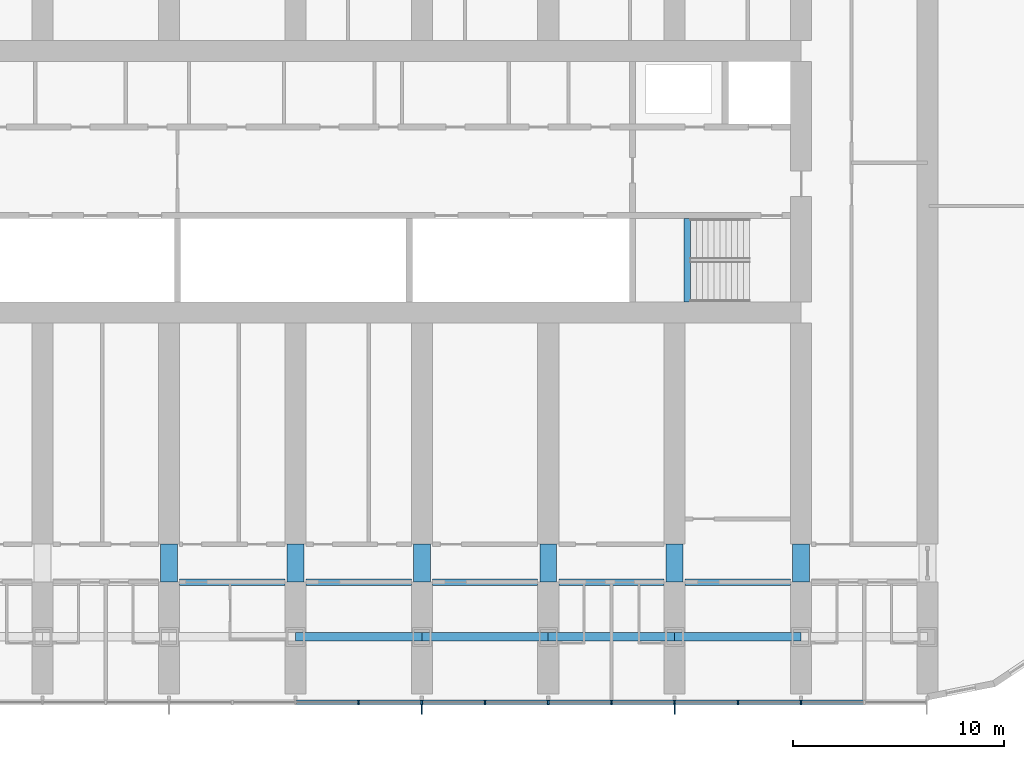
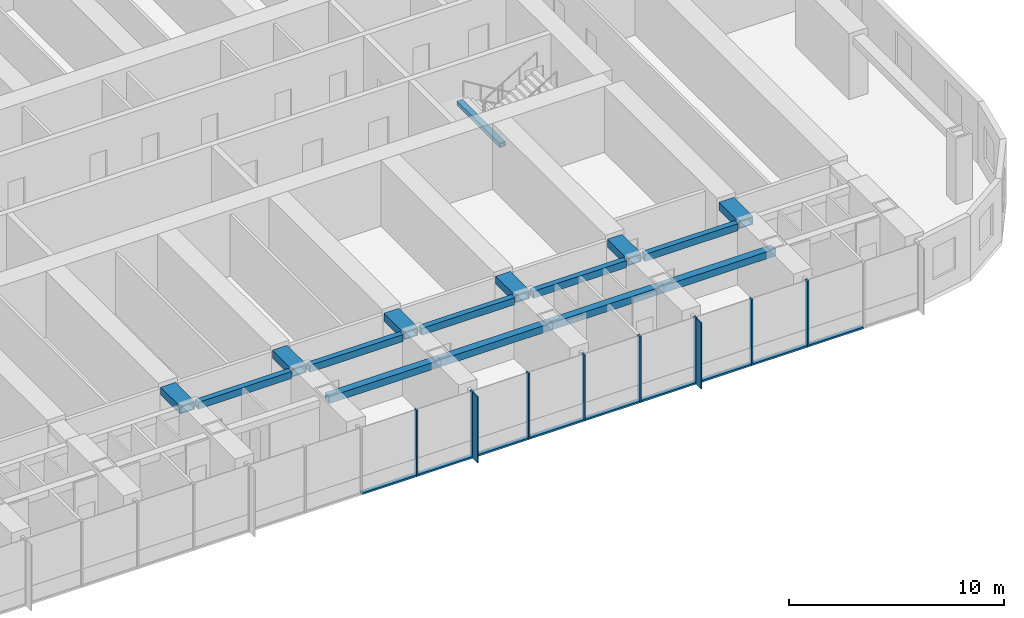
# One storey, part 3 of 23: 19 members, 16 beams, 1 element without a shape of its own.
"""IFC4 building model written with IfcOpenShell, lengths in metres."""

from ifc_helpers import new_model, si_unit, direction, frame, origin, origin_2d, place, context, subcontext, project, spatial, rectangle, hollow_rectangle, extrude, material, material_profile, profile_set, type_object, element, aggregate, save


model = new_model("IFC4")

# Units and contexts
model_context = context("Model", 3, precision=1e-05, world=origin(), true_north=direction((0.0, 1.0)))
body_context = subcontext(model_context, "Body", "Model", "MODEL_VIEW")
ifc_project = project(units=[si_unit("LENGTHUNIT", "METRE"), si_unit("AREAUNIT", "SQUARE_METRE"), si_unit("VOLUMEUNIT", "CUBIC_METRE"), si_unit("PLANEANGLEUNIT", "RADIAN"), si_unit("MASSUNIT", "GRAM", prefix="KILO")], contexts=[model_context])

# Site, building, storey
site_placement = place(None, origin())
site = spatial("IfcSite", under=ifc_project, at=site_placement, CompositionType="ELEMENT")
building_placement = place(site_placement, origin())
building = spatial("IfcBuilding", under=site, at=building_placement, Name="Orbita Commons", CompositionType="ELEMENT")
storey_placement = place(building_placement, frame((0.0, 0.0, 42.699951171875)))
storey = spatial("IfcBuildingStorey", under=building, at=storey_placement, Name="L10", CompositionType="ELEMENT", Elevation=42.699951171875)

# Curtain wall, members
ifc_material_1 = material(Name="Anodised aluminium frame, pale silver", Category="aluminium")
curtain_wall_type = type_object("IfcCurtainWallType", Name="Unitised curtain wall CW-T, vision and spandrel", PredefinedType="NOTDEFINED", material=ifc_material_1)
curtain_wall_placement = place(storey_placement, origin())
curtain_wall = element("IfcCurtainWall", 1, at=curtain_wall_placement, inside=storey, type_object=curtain_wall_type, Name="Curtain wall south L10", PredefinedType="NOTDEFINED")
ifc_material_2 = material(Name="Anodised aluminium, pale silver", Category="aluminium")
ifc_material_profile_1 = material_profile(ifc_material_2, rectangle(XDim=0.080078125, YDim=0.219970703125, at=origin_2d()), Name="AL 80x220")
ifc_profile_set_1 = profile_set([ifc_material_profile_1], Name="Anodised aluminium, pale silver")
member_type_1 = type_object("IfcMemberType", Name="Curtain wall mullion 80x220", PredefinedType="MULLION", material=ifc_profile_set_1)
member_1_placement = place(storey_placement, frame((45.0, 7.2900390625, -0.25), z_axis=(0.0, 0.0, 1.0), x_axis=(1.0, 0.0, 0.0)))
member_1 = element("IfcMember", 2, at=member_1_placement, type_object=member_type_1, Name="Mullion 12 CW-L10-S", PredefinedType="MULLION", context=body_context, shape_type="SweptSolid", body=[
    extrude(rectangle(XDim=0.080078125, YDim=0.219970703125, at=origin_2d()), origin(), (0.0, 0.0, 1.0), 3.75),
])
member_2_placement = place(storey_placement, frame((48.0, 7.2900390625, -0.25), z_axis=(0.0, 0.0, 1.0), x_axis=(1.0, 0.0, 0.0)))
member_2 = element("IfcMember", 3, at=member_2_placement, type_object=member_type_1, Name="Mullion 13 CW-L10-S", PredefinedType="MULLION", context=body_context, shape_type="SweptSolid", body=[
    extrude(rectangle(XDim=0.080078125, YDim=0.219970703125, at=origin_2d()), origin(), (0.0, 0.0, 1.0), 3.75),
])
member_3_placement = place(storey_placement, frame((51.0, 7.2900390625, -0.25), z_axis=(0.0, 0.0, 1.0), x_axis=(1.0, 0.0, 0.0)))
member_3 = element("IfcMember", 4, at=member_3_placement, type_object=member_type_1, Name="Mullion 14 CW-L10-S", PredefinedType="MULLION", context=body_context, shape_type="SweptSolid", body=[
    extrude(rectangle(XDim=0.080078125, YDim=0.219970703125, at=origin_2d()), origin(), (0.0, 0.0, 1.0), 3.75),
])
member_4_placement = place(storey_placement, frame((54.0, 7.2900390625, -0.25), z_axis=(0.0, 0.0, 1.0), x_axis=(1.0, 0.0, 0.0)))
member_4 = element("IfcMember", 5, at=member_4_placement, type_object=member_type_1, Name="Mullion 15 CW-L10-S", PredefinedType="MULLION", context=body_context, shape_type="SweptSolid", body=[
    extrude(rectangle(XDim=0.080078125, YDim=0.219970703125, at=origin_2d()), origin(), (0.0, 0.0, 1.0), 3.75),
])
member_5_placement = place(storey_placement, frame((57.0, 7.2900390625, -0.25), z_axis=(0.0, 0.0, 1.0), x_axis=(1.0, 0.0, 0.0)))
member_5 = element("IfcMember", 6, at=member_5_placement, type_object=member_type_1, Name="Mullion 16 CW-L10-S", PredefinedType="MULLION", context=body_context, shape_type="SweptSolid", body=[
    extrude(rectangle(XDim=0.080078125, YDim=0.219970703125, at=origin_2d()), origin(), (0.0, 0.0, 1.0), 3.75),
])
member_6_placement = place(storey_placement, frame((60.0, 7.2900390625, -0.25), z_axis=(0.0, 0.0, 1.0), x_axis=(1.0, 0.0, 0.0)))
member_6 = element("IfcMember", 7, at=member_6_placement, type_object=member_type_1, Name="Mullion 17 CW-L10-S", PredefinedType="MULLION", context=body_context, shape_type="SweptSolid", body=[
    extrude(rectangle(XDim=0.080078125, YDim=0.219970703125, at=origin_2d()), origin(), (0.0, 0.0, 1.0), 3.75),
])
member_7_placement = place(storey_placement, frame((63.0, 7.2900390625, -0.25), z_axis=(0.0, 0.0, 1.0), x_axis=(1.0, 0.0, 0.0)))
member_7 = element("IfcMember", 8, at=member_7_placement, type_object=member_type_1, Name="Mullion 18 CW-L10-S", PredefinedType="MULLION", context=body_context, shape_type="SweptSolid", body=[
    extrude(rectangle(XDim=0.080078125, YDim=0.219970703125, at=origin_2d()), origin(), (0.0, 0.0, 1.0), 3.75),
])
member_8_placement = place(storey_placement, frame((66.0, 7.2900390625, -0.25), z_axis=(0.0, 0.0, 1.0), x_axis=(1.0, 0.0, 0.0)))
member_8 = element("IfcMember", 9, at=member_8_placement, type_object=member_type_1, Name="Mullion 19 CW-L10-S", PredefinedType="MULLION", context=body_context, shape_type="SweptSolid", body=[
    extrude(rectangle(XDim=0.080078125, YDim=0.219970703125, at=origin_2d()), origin(), (0.0, 0.0, 1.0), 3.75),
])
ifc_material_3 = material(Name="Anodised aluminium, pale silver", Category="aluminium")
ifc_material_profile_2 = material_profile(ifc_material_3, rectangle(XDim=0.219970703125, YDim=0.10009765625, at=origin_2d()), Name="AL 220x100")
ifc_profile_set_2 = profile_set([ifc_material_profile_2], Name="Anodised aluminium, pale silver")
member_type_2 = type_object("IfcMemberType", Name="Curtain wall stack transom 220x100", PredefinedType="USERDEFINED", material=ifc_profile_set_2)
member_9_placement = place(storey_placement, frame((42.0400390625, 7.2900390625, -0.199951171875), z_axis=(1.0, 0.0, 0.0), x_axis=(0.0, 1.0, 0.0)))
member_9 = element("IfcMember", 10, at=member_9_placement, type_object=member_type_2, Name="Transom 11.1 CW-L10-S", ObjectType="TRANSOM", PredefinedType="USERDEFINED", context=body_context, shape_type="SweptSolid", body=[
    extrude(rectangle(XDim=0.219970703125, YDim=0.10009765625, at=origin_2d()), origin(), (0.0, 0.0, 1.0), 2.919921875),
])
member_10_placement = place(storey_placement, frame((45.0400390625, 7.2900390625, -0.199951171875), z_axis=(1.0, 0.0, 0.0), x_axis=(0.0, 1.0, 0.0)))
member_10 = element("IfcMember", 11, at=member_10_placement, type_object=member_type_2, Name="Transom 12.1 CW-L10-S", ObjectType="TRANSOM", PredefinedType="USERDEFINED", context=body_context, shape_type="SweptSolid", body=[
    extrude(rectangle(XDim=0.219970703125, YDim=0.10009765625, at=origin_2d()), origin(), (0.0, 0.0, 1.0), 2.919921875),
])
member_11_placement = place(storey_placement, frame((48.0400390625, 7.2900390625, -0.199951171875), z_axis=(1.0, 0.0, 0.0), x_axis=(0.0, 1.0, 0.0)))
member_11 = element("IfcMember", 12, at=member_11_placement, type_object=member_type_2, Name="Transom 13.1 CW-L10-S", ObjectType="TRANSOM", PredefinedType="USERDEFINED", context=body_context, shape_type="SweptSolid", body=[
    extrude(rectangle(XDim=0.219970703125, YDim=0.10009765625, at=origin_2d()), origin(), (0.0, 0.0, 1.0), 2.919921875),
])
member_12_placement = place(storey_placement, frame((51.0400390625, 7.2900390625, -0.199951171875), z_axis=(1.0, 0.0, 0.0), x_axis=(0.0, 1.0, 0.0)))
member_12 = element("IfcMember", 13, at=member_12_placement, type_object=member_type_2, Name="Transom 14.1 CW-L10-S", ObjectType="TRANSOM", PredefinedType="USERDEFINED", context=body_context, shape_type="SweptSolid", body=[
    extrude(rectangle(XDim=0.219970703125, YDim=0.10009765625, at=origin_2d()), origin(), (0.0, 0.0, 1.0), 2.919921875),
])
member_13_placement = place(storey_placement, frame((54.0400390625, 7.2900390625, -0.199951171875), z_axis=(1.0, 0.0, 0.0), x_axis=(0.0, 1.0, 0.0)))
member_13 = element("IfcMember", 14, at=member_13_placement, type_object=member_type_2, Name="Transom 15.1 CW-L10-S", ObjectType="TRANSOM", PredefinedType="USERDEFINED", context=body_context, shape_type="SweptSolid", body=[
    extrude(rectangle(XDim=0.219970703125, YDim=0.10009765625, at=origin_2d()), origin(), (0.0, 0.0, 1.0), 2.919921875),
])
member_14_placement = place(storey_placement, frame((57.0400390625, 7.2900390625, -0.199951171875), z_axis=(1.0, 0.0, 0.0), x_axis=(0.0, 1.0, 0.0)))
member_14 = element("IfcMember", 15, at=member_14_placement, type_object=member_type_2, Name="Transom 16.1 CW-L10-S", ObjectType="TRANSOM", PredefinedType="USERDEFINED", context=body_context, shape_type="SweptSolid", body=[
    extrude(rectangle(XDim=0.219970703125, YDim=0.10009765625, at=origin_2d()), origin(), (0.0, 0.0, 1.0), 2.919921875),
])
member_15_placement = place(storey_placement, frame((60.0400390625, 7.2900390625, -0.199951171875), z_axis=(1.0, 0.0, 0.0), x_axis=(0.0, 1.0, 0.0)))
member_15 = element("IfcMember", 16, at=member_15_placement, type_object=member_type_2, Name="Transom 17.1 CW-L10-S", ObjectType="TRANSOM", PredefinedType="USERDEFINED", context=body_context, shape_type="SweptSolid", body=[
    extrude(rectangle(XDim=0.219970703125, YDim=0.10009765625, at=origin_2d()), origin(), (0.0, 0.0, 1.0), 2.919921875),
])
member_16_placement = place(storey_placement, frame((63.0400390625, 7.2900390625, -0.199951171875), z_axis=(1.0, 0.0, 0.0), x_axis=(0.0, 1.0, 0.0)))
member_16 = element("IfcMember", 17, at=member_16_placement, type_object=member_type_2, Name="Transom 18.1 CW-L10-S", ObjectType="TRANSOM", PredefinedType="USERDEFINED", context=body_context, shape_type="SweptSolid", body=[
    extrude(rectangle(XDim=0.219970703125, YDim=0.10009765625, at=origin_2d()), origin(), (0.0, 0.0, 1.0), 2.919921875),
])
member_17_placement = place(storey_placement, frame((66.0400390625, 7.2900390625, -0.199951171875), z_axis=(1.0, 0.0, 0.0), x_axis=(0.0, 1.0, 0.0)))
member_17 = element("IfcMember", 18, at=member_17_placement, type_object=member_type_2, Name="Transom 19.1 CW-L10-S", ObjectType="TRANSOM", PredefinedType="USERDEFINED", context=body_context, shape_type="SweptSolid", body=[
    extrude(rectangle(XDim=0.219970703125, YDim=0.10009765625, at=origin_2d()), origin(), (0.0, 0.0, 1.0), 2.919921875),
])

# Beams
ifc_material_4 = material(Name="Steel ASTM A572 Gr 50 welded plate", Category="steel")
ifc_material_profile_3 = material_profile(ifc_material_4, hollow_rectangle(XDim=0.300048828125, YDim=0.25, WallThickness=0.02490234375, at=origin_2d()), Name="BOX 250x300x25")
ifc_profile_set_3 = profile_set([ifc_material_profile_3], Name="Steel ASTM A572 Gr 50 welded plate")
beam_type_1 = type_object("IfcBeamType", Name="Stair landing beam steel BOX 250x300x25", PredefinedType="BEAM", material=ifc_profile_set_3)
beam_placement = place(storey_placement, frame((60.60009765625, 26.284912109375, 1.550048828125), z_axis=(0.0, 1.0, 0.0), x_axis=(-1.0, 0.0, 0.0)))
element("IfcBeam", 19, at=beam_placement, inside=storey, type_object=beam_type_1, Name="Stair S2 landing beam L10 1", PredefinedType="BEAM", context=body_context, shape_type="SweptSolid", body=[
    extrude(hollow_rectangle(XDim=0.300048828125, YDim=0.25, WallThickness=0.02490234375, at=origin_2d()), origin(), (0.0, 0.0, 1.0), 3.97998046875),
])
ifc_material_5 = material(Name="Steel ASTM A572 Gr 50 welded plate", Category="steel")
ifc_material_profile_4 = material_profile(ifc_material_5, hollow_rectangle(XDim=0.300048828125, YDim=0.39990234375, WallThickness=0.0400390625, at=origin_2d()), Name="BOX 400x300x40")
ifc_profile_set_4 = profile_set([ifc_material_profile_4], Name="Steel ASTM A572 Gr 50 welded plate")
beam_type_2 = type_object("IfcBeamType", Name="Steel corridor link BOX 400x300x40", PredefinedType="BEAM", material=ifc_profile_set_4)
for number, where, z_axis, x_axis, name in (
    (20, (36.5, 13.0, 3.300048828125), (1.0, 0.0, 0.0), (0.0, 1.0, 0.0), "Corridor beam SA 7-8 L10"),
    (21, (42.5, 13.0, 3.300048828125), (1.0, 0.0, 0.0), (0.0, 1.0, 0.0), "Corridor beam SA 8-9 L10"),
    (22, (48.5, 13.0, 3.300048828125), (1.0, 0.0, 0.0), (0.0, 1.0, 0.0), "Corridor beam SA 9-10 L10"),
    (23, (54.5, 13.0, 3.300048828125), (1.0, 0.0, 0.0), (0.0, 1.0, 0.0), "Corridor beam SA 10-11 L10"),
    (24, (60.5, 13.0, 3.300048828125), (1.0, 0.0, 0.0), (0.0, 1.0, 0.0), "Corridor beam SA 11-12 L10"),
):
    element("IfcBeam", number, at=place(storey_placement, frame(where, z_axis=z_axis, x_axis=x_axis)), inside=storey, type_object=beam_type_2, Name=name, PredefinedType="BEAM", context=body_context, shape_type="SweptSolid", body=[
        extrude(hollow_rectangle(XDim=0.300048828125, YDim=0.39990234375, WallThickness=0.0400390625, at=origin_2d()), origin(), (0.0, 0.0, 1.0), 5.0),
    ])
ifc_material_6 = material(Name="Steel ASTM A572 Gr 50 welded plate", Category="steel")
ifc_material_profile_5 = material_profile(ifc_material_6, hollow_rectangle(XDim=0.800048828125, YDim=0.449951171875, WallThickness=0.06005859375, at=origin_2d()), Name="BOX 450x800x60")
ifc_profile_set_5 = profile_set([ifc_material_profile_5], Name="Steel ASTM A572 Gr 50 welded plate")
beam_type_3 = type_object("IfcBeamType", Name="Steel coupling link BOX 450x800x60", PredefinedType="LINTEL", material=ifc_profile_set_5)
for number, where, z_axis, x_axis, name in (
    (25, (36.0, 13.0, 3.275146484375), (0.0, 1.0, 0.0), (-1.0, 0.0, 0.0), "Coupling beam 7 south L10"),
    (26, (42.0, 13.0, 3.275146484375), (0.0, 1.0, 0.0), (-1.0, 0.0, 0.0), "Coupling beam 8 south L10"),
    (27, (48.0, 13.0, 3.275146484375), (0.0, 1.0, 0.0), (-1.0, 0.0, 0.0), "Coupling beam 9 south L10"),
    (28, (54.0, 13.0, 3.275146484375), (0.0, 1.0, 0.0), (-1.0, 0.0, 0.0), "Coupling beam 10 south L10"),
    (29, (60.0, 13.0, 3.275146484375), (0.0, 1.0, 0.0), (-1.0, 0.0, 0.0), "Coupling beam 11 south L10"),
    (30, (66.0, 13.0, 3.275146484375), (0.0, 1.0, 0.0), (-1.0, 0.0, 0.0), "Coupling beam 12 south L10"),
):
    element("IfcBeam", number, at=place(storey_placement, frame(where, z_axis=z_axis, x_axis=x_axis)), inside=storey, type_object=beam_type_3, Name=name, PredefinedType="LINTEL", context=body_context, shape_type="SweptSolid", body=[
        extrude(hollow_rectangle(XDim=0.800048828125, YDim=0.449951171875, WallThickness=0.06005859375, at=origin_2d()), origin(), (0.0, 0.0, 1.0), 1.800048828125),
    ])
ifc_material_7 = material(Name="Steel ASTM A572 Gr 50 welded plate", Category="steel")
ifc_material_profile_6 = material_profile(ifc_material_7, hollow_rectangle(XDim=0.39990234375, YDim=0.39990234375, WallThickness=0.0400390625, at=origin_2d()), Name="BOX 400x400x40")
ifc_profile_set_6 = profile_set([ifc_material_profile_6], Name="Steel ASTM A572 Gr 50 welded plate")
beam_type_4 = type_object("IfcBeamType", Name="Steel spandrel BOX 400x400x40", PredefinedType="SPANDREL", material=ifc_profile_set_6)
for number, where, z_axis, x_axis, name in (
    (31, (42.0, 10.39990234375, 3.300048828125), (1.0, 0.0, 0.0), (0.0, 1.0, 0.0), "Spandrel beam B 8-9 L10"),
    (32, (48.0, 10.39990234375, 3.300048828125), (1.0, 0.0, 0.0), (0.0, 1.0, 0.0), "Spandrel beam B 9-10 L10"),
    (33, (54.0, 10.39990234375, 3.300048828125), (1.0, 0.0, 0.0), (0.0, 1.0, 0.0), "Spandrel beam B 10-11 L10"),
    (34, (60.0, 10.39990234375, 3.300048828125), (1.0, 0.0, 0.0), (0.0, 1.0, 0.0), "Spandrel beam B 11-12 L10"),
):
    element("IfcBeam", number, at=place(storey_placement, frame(where, z_axis=z_axis, x_axis=x_axis)), inside=storey, type_object=beam_type_4, Name=name, PredefinedType="SPANDREL", context=body_context, shape_type="SweptSolid", body=[
        extrude(hollow_rectangle(XDim=0.39990234375, YDim=0.39990234375, WallThickness=0.0400390625, at=origin_2d()), origin(), (0.0, 0.0, 1.0), 6.0),
    ])

# Member
ifc_material_8 = material(Name="Anodised aluminium, pale silver", Category="aluminium")
ifc_material_profile_7 = material_profile(ifc_material_8, rectangle(XDim=0.06005859375, YDim=0.449951171875, at=origin_2d()), Name="FIN 60x450")
ifc_profile_set_7 = profile_set([ifc_material_profile_7], Name="Anodised aluminium, pale silver")
member_type_3 = type_object("IfcMemberType", Name="Vertical fin 60x450 pale aluminium", PredefinedType="USERDEFINED", material=ifc_profile_set_7)
member_18_placement = place(storey_placement, frame((48.0, 6.955078125, -0.25), z_axis=(0.0, 0.0, 1.0), x_axis=(1.0, 0.0, 0.0)))
member_18 = element("IfcMember", 35, at=member_18_placement, type_object=member_type_3, Name="Fin 13 CW-L10-S", ObjectType="FIN", PredefinedType="USERDEFINED", context=body_context, shape_type="SweptSolid", body=[
    extrude(rectangle(XDim=0.06005859375, YDim=0.449951171875, at=origin_2d()), origin(), (0.0, 0.0, 1.0), 3.75),
])

member_19_placement = place(storey_placement, frame((60.0, 6.955078125, -0.25), z_axis=(0.0, 0.0, 1.0), x_axis=(1.0, 0.0, 0.0)))
member_19 = element("IfcMember", 36, at=member_19_placement, type_object=member_type_3, Name="Fin 17 CW-L10-S", ObjectType="FIN", PredefinedType="USERDEFINED", context=body_context, shape_type="SweptSolid", body=[
    extrude(rectangle(XDim=0.06005859375, YDim=0.449951171875, at=origin_2d()), origin(), (0.0, 0.0, 1.0), 3.75),
])

aggregate(curtain_wall, [member_1, member_2, member_18, member_3, member_4, member_5, member_6, member_19, member_7, member_8, member_9, member_10, member_11, member_12, member_13, member_14, member_15, member_16, member_17])

save(model, "model.ifc")
